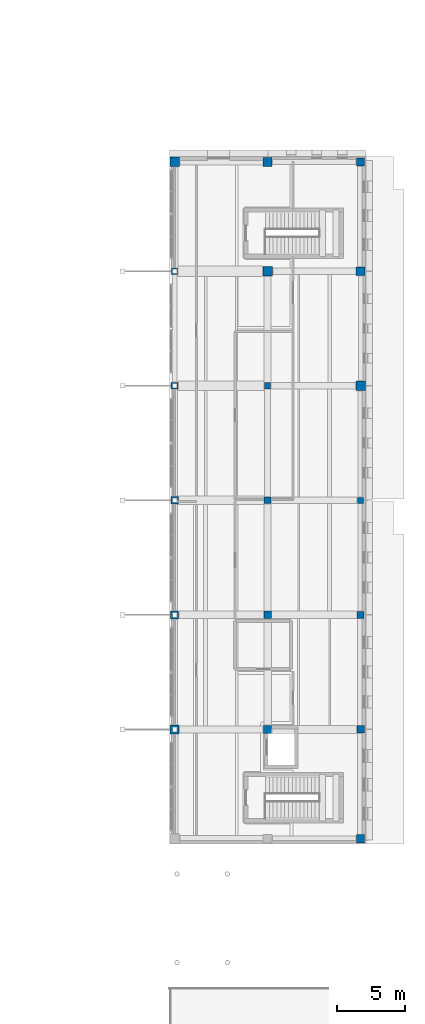
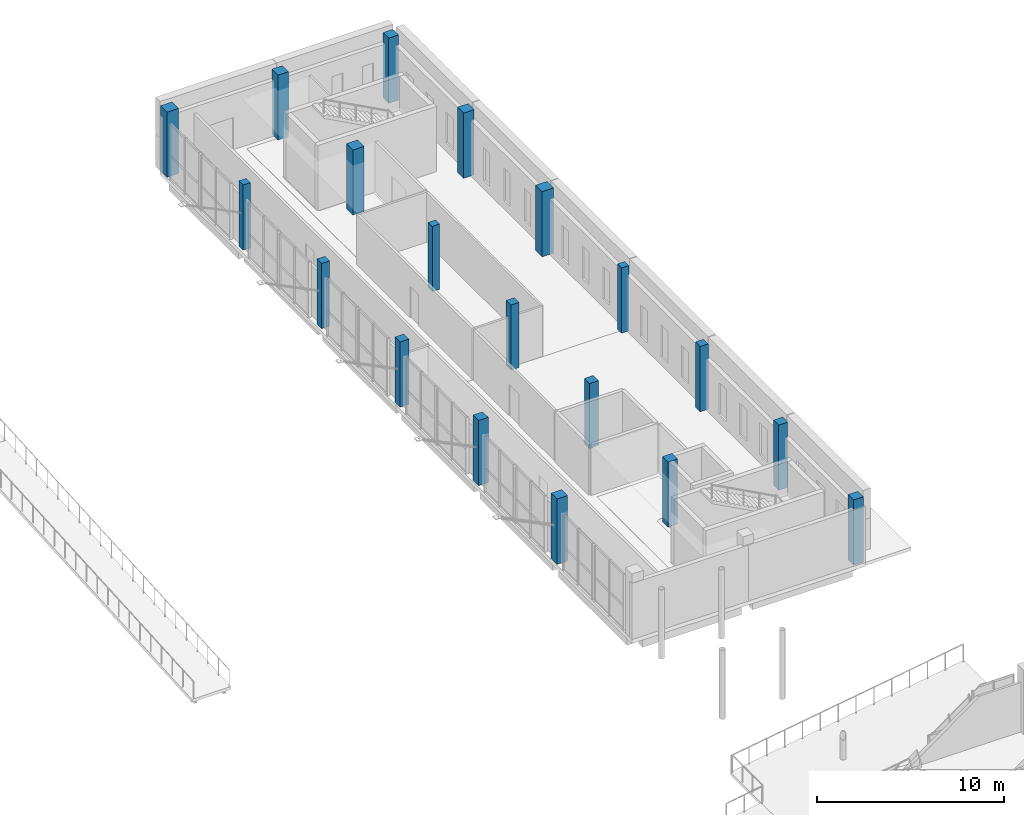
# One storey, part 6 of 77: 19 columns.
"""IFC4 building model written with IfcOpenShell, lengths in metres."""

from ifc_helpers import new_model, si_unit, direction, frame, origin, origin_2d, place, context, subcontext, project, spatial, rectangle, extrude, material, material_profile, profile_set, type_object, element, save


model = new_model("IFC4")

# Units and contexts
model_context = context("Model", 3, precision=1e-05, world=origin(), true_north=direction((0.0, 1.0)))
body_context = subcontext(model_context, "Body", "Model", "MODEL_VIEW")
ifc_project = project(units=[si_unit("LENGTHUNIT", "METRE"), si_unit("AREAUNIT", "SQUARE_METRE"), si_unit("VOLUMEUNIT", "CUBIC_METRE"), si_unit("PLANEANGLEUNIT", "RADIAN"), si_unit("MASSUNIT", "GRAM", prefix="KILO")], contexts=[model_context])

# Site, building, storey
site_placement = place(None, origin())
site = spatial("IfcSite", under=ifc_project, at=site_placement, CompositionType="ELEMENT")
building_placement = place(site_placement, origin())
building = spatial("IfcBuilding", under=site, at=building_placement, Name="Vardoun Plaza Health Centre", CompositionType="ELEMENT")
storey_placement = place(building_placement, origin())
storey = spatial("IfcBuildingStorey", under=building, at=storey_placement, Name="L00", CompositionType="ELEMENT", Elevation=0.0)

# Columns
ifc_material_1 = material(Name="Concrete C40/50", Category="concrete")
ifc_material_profile_1 = material_profile(ifc_material_1, rectangle(XDim=0.449951171875, YDim=0.449951171875, at=origin_2d()), Name="RC-COL 450x450")
ifc_profile_set_1 = profile_set([ifc_material_profile_1], Name="Concrete C40/50")
column_type_1 = type_object("IfcColumnType", Name="C-07", PredefinedType="COLUMN", material=ifc_profile_set_1)
for number, where, z_axis, x_axis, name in (
    (1, (151.280029296875, 78.300048828125, 0.0), (0.0, 0.0, 1.0), (1.0, 0.0, 0.0), "V6 L00 Column C-V6-06"),
    (2, (158.10009765625, 69.900146484375, 0.0), (0.0, 0.0, 1.0), (1.0, 0.0, 0.0), "V6 L00 Column C-V6-12"),
    (3, (164.919921875, 61.5, 0.0), (0.0, 0.0, 1.0), (1.0, 0.0, 0.0), "V6 L00 Column C-V6-18"),
):
    element("IfcColumn", number, at=place(storey_placement, frame(where, z_axis=z_axis, x_axis=x_axis)), inside=storey, type_object=column_type_1, Name=name, PredefinedType="COLUMN", context=body_context, shape_type="SweptSolid", body=[
        extrude(rectangle(XDim=0.449951171875, YDim=0.449951171875, at=origin_2d()), origin(), (0.0, 0.0, 1.0), 4.25),
    ])
ifc_material_2 = material(Name="Concrete C40/50", Category="concrete")
ifc_material_profile_2 = material_profile(ifc_material_2, rectangle(XDim=0.5, YDim=0.5, at=origin_2d()), Name="RC-COL 500x500")
ifc_profile_set_2 = profile_set([ifc_material_profile_2], Name="Concrete C40/50")
column_type_2 = type_object("IfcColumnType", Name="C-06", PredefinedType="COLUMN", material=ifc_profile_set_2)
for number, where, z_axis, x_axis, name in (
    (4, (151.280029296875, 69.900146484375, 0.0), (0.0, 0.0, 1.0), (1.0, 0.0, 0.0), "V6 L00 Column C-V6-05"),
    (5, (158.10009765625, 61.5, 0.0), (0.0, 0.0, 1.0), (1.0, 0.0, 0.0), "V6 L00 Column C-V6-11"),
    (6, (164.919921875, 53.10009765625, 0.0), (0.0, 0.0, 1.0), (1.0, 0.0, 0.0), "V6 L00 Column C-V6-17"),
):
    element("IfcColumn", number, at=place(storey_placement, frame(where, z_axis=z_axis, x_axis=x_axis)), inside=storey, type_object=column_type_2, Name=name, PredefinedType="COLUMN", context=body_context, shape_type="SweptSolid", body=[
        extrude(rectangle(XDim=0.5, YDim=0.5, at=origin_2d()), origin(), (0.0, 0.0, 1.0), 4.25),
    ])
ifc_material_3 = material(Name="Concrete C40/50", Category="concrete")
ifc_material_profile_3 = material_profile(ifc_material_3, rectangle(XDim=0.550048828125, YDim=0.550048828125, at=origin_2d()), Name="RC-COL 550x550")
ifc_profile_set_3 = profile_set([ifc_material_profile_3], Name="Concrete C40/50")
column_type_3 = type_object("IfcColumnType", Name="C-05", PredefinedType="COLUMN", material=ifc_profile_set_3)
for number, where, z_axis, x_axis, name in (
    (7, (151.280029296875, 61.5, 0.0), (0.0, 0.0, 1.0), (1.0, 0.0, 0.0), "V6 L00 Column C-V6-04"),
    (8, (158.10009765625, 53.10009765625, 0.0), (0.0, 0.0, 1.0), (1.0, 0.0, 0.0), "V6 L00 Column C-V6-10"),
    (9, (164.919921875, 44.699951171875, 0.0), (0.0, 0.0, 1.0), (1.0, 0.0, 0.0), "V6 L00 Column C-V6-16"),
):
    element("IfcColumn", number, at=place(storey_placement, frame(where, z_axis=z_axis, x_axis=x_axis)), inside=storey, type_object=column_type_3, Name=name, PredefinedType="COLUMN", context=body_context, shape_type="SweptSolid", body=[
        extrude(rectangle(XDim=0.550048828125, YDim=0.550048828125, at=origin_2d()), origin(), (0.0, 0.0, 1.0), 4.25),
    ])
ifc_material_4 = material(Name="Concrete C40/50", Category="concrete")
ifc_material_profile_4 = material_profile(ifc_material_4, rectangle(XDim=0.60009765625, YDim=0.60009765625, at=origin_2d()), Name="RC-COL 600x600")
ifc_profile_set_4 = profile_set([ifc_material_profile_4], Name="Concrete C40/50")
column_type_4 = type_object("IfcColumnType", Name="C-04", PredefinedType="COLUMN", material=ifc_profile_set_4)
for number, where, z_axis, x_axis, name in (
    (10, (151.280029296875, 53.10009765625, 0.0), (0.0, 0.0, 1.0), (1.0, 0.0, 0.0), "V6 L00 Column C-V6-03"),
    (11, (158.10009765625, 44.699951171875, 0.0), (0.0, 0.0, 1.0), (1.0, 0.0, 0.0), "V6 L00 Column C-V6-09"),
    (12, (164.919921875, 36.679931640625, 0.0), (0.0, 0.0, 1.0), (1.0, 0.0, 0.0), "V6 L00 Column C-V6-15"),
    (13, (164.919921875, 86.320068359375, 0.0), (0.0, 0.0, 1.0), (1.0, 0.0, 0.0), "V6 L00 Column C-V6-21"),
):
    element("IfcColumn", number, at=place(storey_placement, frame(where, z_axis=z_axis, x_axis=x_axis)), inside=storey, type_object=column_type_4, Name=name, PredefinedType="COLUMN", context=body_context, shape_type="SweptSolid", body=[
        extrude(rectangle(XDim=0.60009765625, YDim=0.60009765625, at=origin_2d()), origin(), (0.0, 0.0, 1.0), 4.25),
    ])
ifc_material_5 = material(Name="Concrete C40/50", Category="concrete")
ifc_material_profile_5 = material_profile(ifc_material_5, rectangle(XDim=0.64990234375, YDim=0.64990234375, at=origin_2d()), Name="RC-COL 650x650")
ifc_profile_set_5 = profile_set([ifc_material_profile_5], Name="Concrete C40/50")
column_type_5 = type_object("IfcColumnType", Name="C-03", PredefinedType="COLUMN", material=ifc_profile_set_5)
for number, where, z_axis, x_axis, name in (
    (14, (151.280029296875, 44.699951171875, 0.0), (0.0, 0.0, 1.0), (1.0, 0.0, 0.0), "V6 L00 Column C-V6-02"),
    (15, (158.10009765625, 86.320068359375, 0.0), (0.0, 0.0, 1.0), (1.0, 0.0, 0.0), "V6 L00 Column C-V6-14"),
    (16, (164.919921875, 78.300048828125, 0.0), (0.0, 0.0, 1.0), (1.0, 0.0, 0.0), "V6 L00 Column C-V6-20"),
):
    element("IfcColumn", number, at=place(storey_placement, frame(where, z_axis=z_axis, x_axis=x_axis)), inside=storey, type_object=column_type_5, Name=name, PredefinedType="COLUMN", context=body_context, shape_type="SweptSolid", body=[
        extrude(rectangle(XDim=0.64990234375, YDim=0.64990234375, at=origin_2d()), origin(), (0.0, 0.0, 1.0), 4.25),
    ])
ifc_material_6 = material(Name="Concrete C40/50", Category="concrete")
ifc_material_profile_6 = material_profile(ifc_material_6, rectangle(XDim=0.699951171875, YDim=0.699951171875, at=origin_2d()), Name="RC-COL 700x700")
ifc_profile_set_6 = profile_set([ifc_material_profile_6], Name="Concrete C40/50")
column_type_6 = type_object("IfcColumnType", Name="C-02", PredefinedType="COLUMN", material=ifc_profile_set_6)
for number, where, z_axis, x_axis, name in (
    (17, (151.280029296875, 86.320068359375, 0.0), (0.0, 0.0, 1.0), (1.0, 0.0, 0.0), "V6 L00 Column C-V6-07"),
    (18, (158.10009765625, 78.300048828125, 0.0), (0.0, 0.0, 1.0), (1.0, 0.0, 0.0), "V6 L00 Column C-V6-13"),
    (19, (164.919921875, 69.900146484375, 0.0), (0.0, 0.0, 1.0), (1.0, 0.0, 0.0), "V6 L00 Column C-V6-19"),
):
    element("IfcColumn", number, at=place(storey_placement, frame(where, z_axis=z_axis, x_axis=x_axis)), inside=storey, type_object=column_type_6, Name=name, PredefinedType="COLUMN", context=body_context, shape_type="SweptSolid", body=[
        extrude(rectangle(XDim=0.699951171875, YDim=0.699951171875, at=origin_2d()), origin(), (0.0, 0.0, 1.0), 4.25),
    ])

save(model, "model.ifc")
